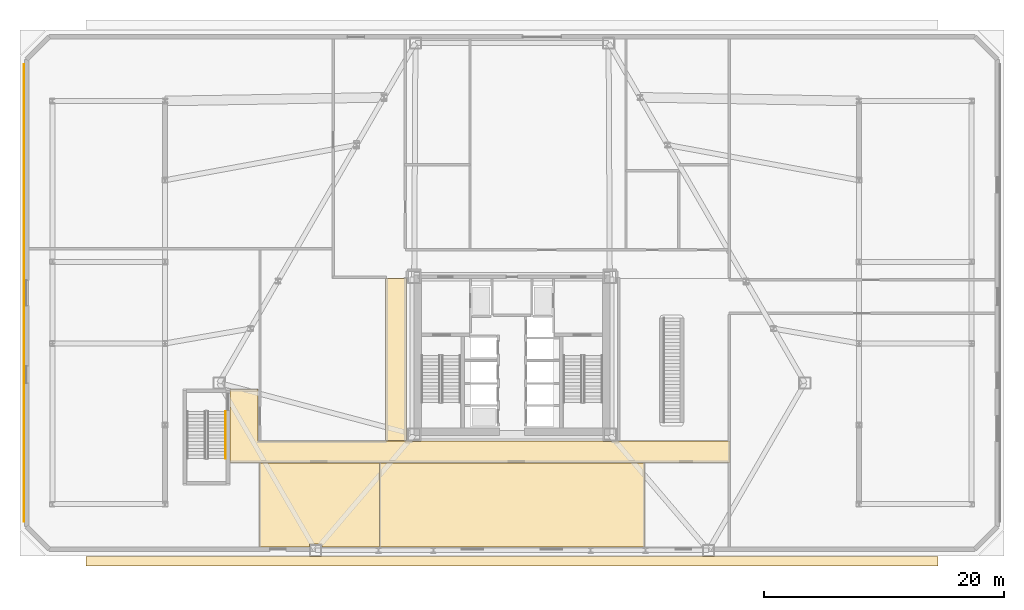
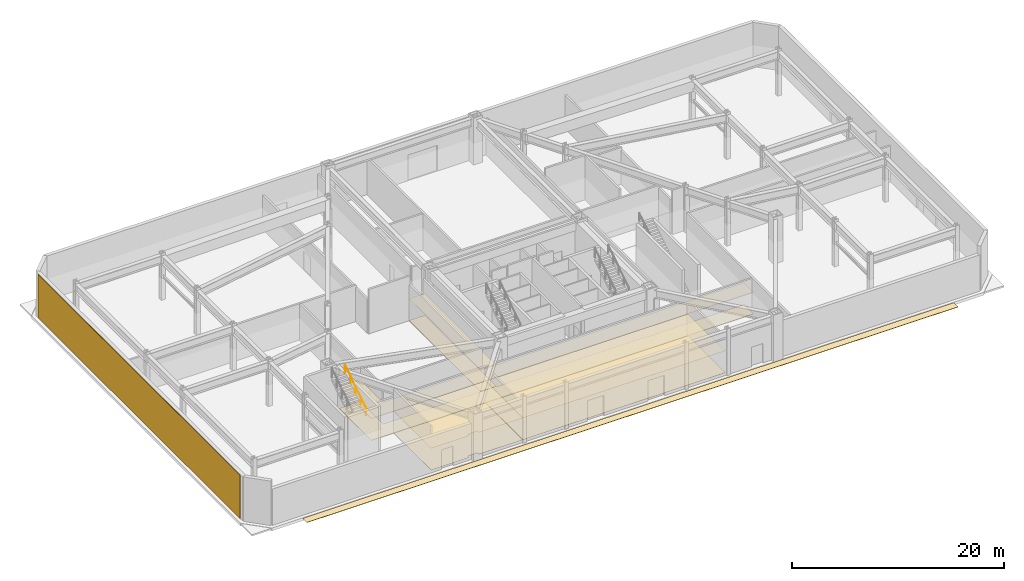
# One storey, part 9 of 12: 10 coverings, 1 railing.
"""IFC4 building model written with IfcOpenShell, lengths in metres."""

from ifc_helpers import new_model, si_unit, direction, frame, origin, origin_2d, place, context, subcontext, project, spatial, polyline, rectangle, circle, outline, extrude, material, layer, layer_set, type_object, element, save


model = new_model("IFC4")

# Units and contexts
model_context = context("Model", 3, precision=1e-05, world=origin(), true_north=direction((0.0, 1.0)))
body_context = subcontext(model_context, "Body", "Model", "MODEL_VIEW")
ifc_project = project(units=[si_unit("LENGTHUNIT", "METRE"), si_unit("AREAUNIT", "SQUARE_METRE"), si_unit("VOLUMEUNIT", "CUBIC_METRE"), si_unit("PLANEANGLEUNIT", "RADIAN"), si_unit("MASSUNIT", "GRAM", prefix="KILO")], contexts=[model_context])

# Site, building, storey
site_placement = place(None, origin())
site = spatial("IfcSite", under=ifc_project, at=site_placement, CompositionType="ELEMENT")
building_placement = place(site_placement, origin())
building = spatial("IfcBuilding", under=site, at=building_placement, Name="Oramaril Tower", CompositionType="ELEMENT")
storey_placement = place(building_placement, origin())
storey = spatial("IfcBuildingStorey", under=building, at=storey_placement, Name="L00", CompositionType="ELEMENT", Elevation=0.0)

# Coverings
ifc_material_1 = material(Name="Mineral Fibre Acoustic Ceiling")
ifc_layer_1 = layer(ifc_material_1, 0.02001953125)
ifc_layer_set_1 = layer_set([ifc_layer_1], Name="CVT-CEIL")
covering_type_1 = type_object("IfcCoveringType", Name="CVT-CEIL", PredefinedType="CEILING", material=ifc_layer_set_1)
covering_1_placement = place(storey_placement, frame((0.0, 0.0, 2.52197265625)))
element("IfcCovering", 1, at=covering_1_placement, inside=storey, type_object=covering_type_1, Name="L00 Acoustic Suspended Ceiling 1", PredefinedType="CEILING", context=body_context, shape_type="SweptSolid", body=[
    extrude(outline(polyline([(28.780029296875, 10.47998046875), (28.780029296875, 10.429931640625), (29.919921875, 10.429931640625), (29.919921875, 10.47998046875), (45.080078125, 10.47998046875), (45.080078125, 10.429931640625), (46.219970703125, 10.429931640625), (46.219970703125, 10.47998046875), (55.679931640625, 10.47998046875), (55.679931640625, 8.669921875), (14.0, 8.669921875), (14.0, 14.760009765625), (16.330078125, 14.760009765625), (16.330078125, 10.47998046875), (28.780029296875, 10.47998046875)])), origin(), (0.0, 0.0, 1.0), 0.02001953125),
])
covering_2_placement = place(storey_placement, frame((0.0, 0.0, 2.52197265625)))
element("IfcCovering", 2, at=covering_2_placement, inside=storey, type_object=covering_type_1, Name="L00 Acoustic Suspended Ceiling 3", PredefinedType="CEILING", context=body_context, shape_type="SweptSolid", body=[
    extrude(outline(polyline([(28.699951171875, 10.5), (26.969970703125, 10.5), (26.969970703125, 24.0), (28.699951171875, 24.0), (28.699951171875, 10.5)])), origin(), (0.0, 0.0, 1.0), 0.02001953125),
])
covering_3_placement = place(storey_placement, frame((0.0, 0.0, 2.52197265625)))
element("IfcCovering", 3, at=covering_3_placement, inside=storey, type_object=covering_type_1, Name="L00 Acoustic Suspended Ceiling 5", PredefinedType="CEILING", context=body_context, shape_type="SweptSolid", body=[
    extrude(outline(polyline([(26.4580078125, 1.617919921875), (26.4580078125, 8.64990234375), (48.5419921875, 8.64990234375), (48.5419921875, 1.617919921875), (26.4580078125, 1.617919921875)])), origin(), (0.0, 0.0, 1.0), 0.02001953125),
])
covering_4_placement = place(storey_placement, frame((0.0, 0.0, 2.52197265625)))
element("IfcCovering", 4, at=covering_4_placement, inside=storey, type_object=covering_type_1, Name="L00 Acoustic Suspended Ceiling 7", PredefinedType="CEILING", context=body_context, shape_type="SweptSolid", body=[
    extrude(outline(polyline([(21.657958984375, 1.617919921875), (21.657958984375, 1.8798828125), (20.617919921875, 1.8798828125), (20.617919921875, 1.617919921875), (16.4580078125, 1.617919921875), (16.4580078125, 8.64990234375), (26.43798828125, 8.64990234375), (26.43798828125, 1.617919921875), (21.657958984375, 1.617919921875)])), origin(), (0.0, 0.0, 1.0), 0.02001953125),
])
ifc_material_2 = material(Name="Warm Cream Limestone", Category="masonry")
ifc_layer_2 = layer(ifc_material_2, 0.050048828125)
ifc_layer_set_2 = layer_set([ifc_layer_2], Name="CVT-CLD")
covering_type_2 = type_object("IfcCoveringType", Name="CVT-CLD", PredefinedType="CLADDING", material=ifc_layer_set_2)
covering_5_placement = place(storey_placement, frame((-3.1630859375, 22.800048828125, 0.050048828125), z_axis=(0.0, 0.0, 1.0), x_axis=(0.0, 1.0, 0.0)))
element("IfcCovering", 5, at=covering_5_placement, inside=storey, type_object=covering_type_2, Name="L00 Warm Cream Limestone Cladding", PredefinedType="CLADDING", context=body_context, shape_type="SweptSolid", body=[
    extrude(rectangle(XDim=38.144287109375, YDim=0.050048828125, at=origin_2d()), origin(), (0.0, 0.0, 1.0), 5.02001953125),
])
ifc_material_3 = material(Name="Honed Quartzite Stone Flooring", Category="masonry")
ifc_layer_3 = layer(ifc_material_3, 0.02490234375)
ifc_layer_set_3 = layer_set([ifc_layer_3], Name="CVT-FLR")
covering_type_3 = type_object("IfcCoveringType", Name="CVT-FLR", PredefinedType="FLOORING", material=ifc_layer_set_3)
covering_6_placement = place(storey_placement, origin())
element("IfcCovering", 6, at=covering_6_placement, inside=storey, type_object=covering_type_3, Name="L00 Honed Stone Floor Finish 1", PredefinedType="FLOORING", context=body_context, shape_type="SweptSolid", body=[
    extrude(outline(polyline([(28.780029296875, 10.47998046875), (28.780029296875, 10.429931640625), (29.919921875, 10.429931640625), (29.919921875, 10.47998046875), (45.080078125, 10.47998046875), (45.080078125, 10.429931640625), (46.219970703125, 10.429931640625), (46.219970703125, 10.47998046875), (55.679931640625, 10.47998046875), (55.679931640625, 8.669921875), (14.0, 8.669921875), (14.0, 14.760009765625), (16.330078125, 14.760009765625), (16.330078125, 10.47998046875), (28.780029296875, 10.47998046875)])), origin(), (0.0, 0.0, 1.0), 0.02490234375),
])
covering_7_placement = place(storey_placement, origin())
element("IfcCovering", 7, at=covering_7_placement, inside=storey, type_object=covering_type_3, Name="L00 Honed Stone Floor Finish 3", PredefinedType="FLOORING", context=body_context, shape_type="SweptSolid", body=[
    extrude(outline(polyline([(28.699951171875, 10.5), (26.969970703125, 10.5), (26.969970703125, 24.0), (28.699951171875, 24.0), (28.699951171875, 10.5)])), origin(), (0.0, 0.0, 1.0), 0.02490234375),
])
covering_8_placement = place(storey_placement, origin())
element("IfcCovering", 8, at=covering_8_placement, inside=storey, type_object=covering_type_3, Name="L00 Honed Stone Floor Finish 5", PredefinedType="FLOORING", context=body_context, shape_type="SweptSolid", body=[
    extrude(outline(polyline([(26.4580078125, 1.617919921875), (26.4580078125, 8.64990234375), (48.5419921875, 8.64990234375), (48.5419921875, 1.617919921875), (26.4580078125, 1.617919921875)])), origin(), (0.0, 0.0, 1.0), 0.02490234375),
])
covering_9_placement = place(storey_placement, origin())
element("IfcCovering", 9, at=covering_9_placement, inside=storey, type_object=covering_type_3, Name="L00 Honed Stone Floor Finish 7", PredefinedType="FLOORING", context=body_context, shape_type="SweptSolid", body=[
    extrude(outline(polyline([(21.657958984375, 1.617919921875), (21.657958984375, 1.8798828125), (20.617919921875, 1.8798828125), (20.617919921875, 1.617919921875), (16.4580078125, 1.617919921875), (16.4580078125, 8.64990234375), (26.43798828125, 8.64990234375), (26.43798828125, 1.617919921875), (21.657958984375, 1.617919921875)])), origin(), (0.0, 0.0, 1.0), 0.02490234375),
])
ifc_material_4 = material(Name="Granite Cobble Paving", Category="masonry")
ifc_layer_4 = layer(ifc_material_4, 0.0400390625)
ifc_layer_set_4 = layer_set([ifc_layer_4], Name="CVT-RDW")
covering_type_4 = type_object("IfcCoveringType", Name="CVT-RDW", PredefinedType="USERDEFINED", material=ifc_layer_set_4)
covering_10_placement = place(storey_placement, frame((0.0, 0.0, -0.0400390625)))
element("IfcCovering", 10, at=covering_10_placement, inside=storey, type_object=covering_type_4, Name="L00 South Arrival Drop-Off Roadway", ObjectType="ROADWAY", PredefinedType="USERDEFINED", context=body_context, shape_type="SweptSolid", body=[
    extrude(outline(polyline([(2.0, 0.050048828125), (73.0, 0.050048828125), (73.0, 0.85009765625), (2.0, 0.85009765625), (2.0, 0.050048828125)])), origin(), (0.0, 0.0, 1.0), 0.0400390625),
])

# Railing
ifc_material_5 = material(Name="Stainless Steel 316L", Category="steel")
railing_type = type_object("IfcRailingType", Name="RLT-HND", PredefinedType="HANDRAIL", material=ifc_material_5)
railing_placement = place(storey_placement, frame((13.6201171875, 9.02001953125, 2.8798828125)))
element("IfcRailing", 11, at=railing_placement, inside=storey, type_object=railing_type, Name="L00 ST-3 stair handrail 2", PredefinedType="HANDRAIL", context=body_context, shape_type="SweptSolid", body=[
    extrude(circle(Radius=0.02392578125, at=origin_2d()), frame((0.0, 0.0, 0.8759765625), z_axis=(0.0, 0.841171666519, 0.540768182723), x_axis=(-1.0, 0.0, 0.0)), (0.0, 0.0, 1.0), 4.66015625),
    extrude(circle(Radius=0.02099609375, at=origin_2d()), origin(), (0.0, 0.0, 1.0), 0.851806640625),
    extrude(circle(Radius=0.02099609375, at=origin_2d()), frame((0.0, 0.97998046875, 0.6298828125)), (0.0, 0.0, 1.0), 0.851806640625),
    extrude(circle(Radius=0.02099609375, at=origin_2d()), frame((0.0, 1.9599609375, 1.260009765625)), (0.0, 0.0, 1.0), 0.851806640625),
    extrude(circle(Radius=0.02099609375, at=origin_2d()), frame((0.0, 2.93994140625, 1.89013671875)), (0.0, 0.0, 1.0), 0.851806640625),
    extrude(circle(Radius=0.02099609375, at=origin_2d()), frame((0.0, 3.919921875, 2.52001953125)), (0.0, 0.0, 1.0), 0.851806640625),
])

save(model, "model.ifc")
